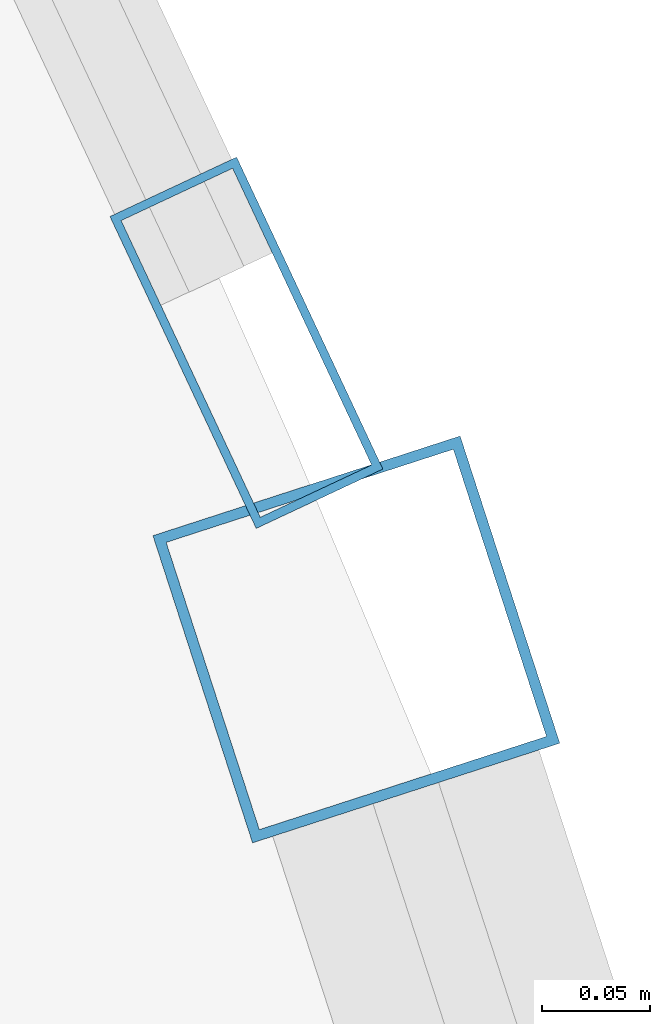
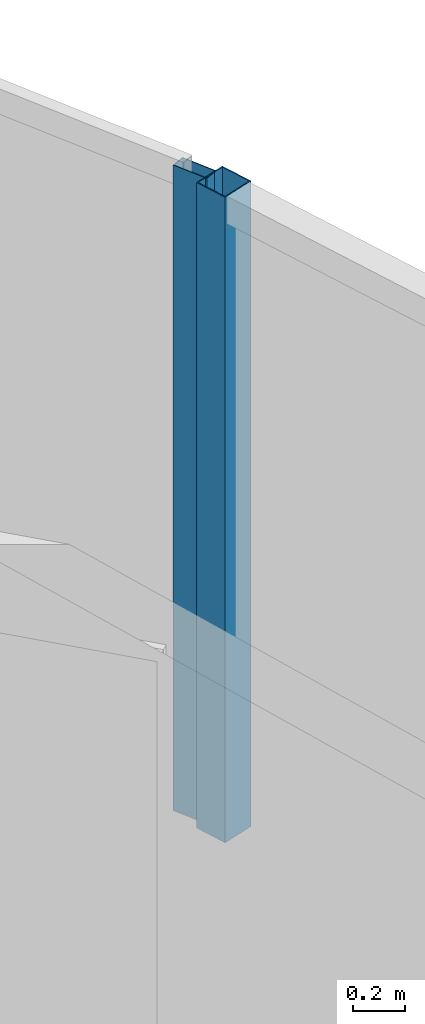
# One storey, part 18 of 34: 2 members, 2 elements without a shape of their own.
"""IFC4 building model written with IfcOpenShell, lengths in metres."""

import ifcopenshell
import ifcopenshell.guid

model = None  # the IFC model being written
_history = None  # IfcOwnerHistory: only IFC2X3 demands one
_inside = {}  # id of a spatial element -> (the spatial element, [elements in it])
_under = {}  # id of a project, library or spatial element -> (it, [spatial elements below it])
_declared = {}  # id of a project -> (the project, [libraries it declares])
_typed = {}  # id of a type object -> (the type object, [elements of that type])
_made_of = {}  # id of a material, layer set ... -> (it, [elements and type objects made of it])


def new_model(schema):
    """Start an empty IFC model of exactly this schema.

    Asked for "IFC4X3", IfcOpenShell would pick the latest addendum, in which some entities
    have other attributes; the version numbers below select the first issue.
    IFC2X3 requires an IfcOwnerHistory on every rooted entity: one is made here for all.
    """
    global model, _history
    if schema == "IFC4X3":
        model = ifcopenshell.file(schema_version=(4, 3, 0, 0))
    else:
        model = ifcopenshell.file(schema=schema)
    _inside.clear()
    _under.clear()
    _declared.clear()
    _typed.clear()
    _made_of.clear()
    _history = None
    if model.schema == "IFC2X3":
        org = make("IfcOrganization", Name="unknown")
        user = make(
            "IfcPersonAndOrganization",
            ThePerson=make("IfcPerson", FamilyName="unknown"),
            TheOrganization=org,
        )
        app = make(
            "IfcApplication",
            ApplicationDeveloper=org,
            Version="unknown",
            ApplicationFullName="unknown",
            ApplicationIdentifier="unknown",
        )
        _history = make(
            "IfcOwnerHistory",
            OwningUser=user,
            OwningApplication=app,
            ChangeAction="ADDED",
            CreationDate=0,
        )
    return model


def make(cls, **values):
    """One entity of the class cls with the attributes given. An attribute that is None is left unset."""
    return model.create_entity(
        cls, **{name: value for name, value in values.items() if value is not None}
    )


def rooted(cls, **values):
    """An entity with a GlobalId (a new one), such as an element, a storey or a relation."""
    return make(cls, GlobalId=ifcopenshell.guid.new(), OwnerHistory=_history, **values)


def si_unit(unit_type, name, prefix=None):
    """IfcSIUnit, for example si_unit("LENGTHUNIT", "METRE", prefix="MILLI")."""
    return make("IfcSIUnit", UnitType=unit_type, Prefix=prefix, Name=name)


def assignment(units):
    """IfcUnitAssignment: the units of a project."""
    return None if units is None else make("IfcUnitAssignment", Units=units)


def point(xyz):
    """IfcCartesianPoint."""
    return None if xyz is None else make("IfcCartesianPoint", Coordinates=xyz)


def direction(xyz):
    """IfcDirection."""
    return None if xyz is None else make("IfcDirection", DirectionRatios=xyz)


def frame(location, z_axis=None, x_axis=None):
    """IfcAxis2Placement3D, a coordinate frame: its origin and axes. An axis left out is left unset."""
    return make(
        "IfcAxis2Placement3D",
        Location=point(location),
        Axis=direction(z_axis),
        RefDirection=direction(x_axis),
    )


def frame_2d(location, x_axis=None):
    """IfcAxis2Placement2D, a coordinate frame in the plane: its origin and x axis."""
    return make(
        "IfcAxis2Placement2D", Location=point(location), RefDirection=direction(x_axis)
    )


def origin():
    """The frame at (0, 0, 0) with its axes left unset."""
    return frame((0.0, 0.0, 0.0))


def origin_2d():
    """The frame at (0, 0) in the plane with its x axis left unset."""
    return frame_2d((0.0, 0.0))


def place(relative_to, where):
    """IfcLocalPlacement: puts the frame where relative to a parent placement (None: the world)."""
    return make(
        "IfcLocalPlacement", PlacementRelTo=relative_to, RelativePlacement=where
    )


def context(
    kind, dimensions, precision=None, world=None, true_north=None, identifier=None
):
    """IfcGeometricRepresentationContext, for example the 3D "Model" context."""
    return make(
        "IfcGeometricRepresentationContext",
        ContextIdentifier=identifier,
        ContextType=kind,
        CoordinateSpaceDimension=dimensions,
        Precision=precision,
        WorldCoordinateSystem=world,
        TrueNorth=true_north,
    )


def subcontext(parent, identifier, kind, view, scale=None):
    """IfcGeometricRepresentationSubContext, for example "Body" below "Model"."""
    return make(
        "IfcGeometricRepresentationSubContext",
        ContextIdentifier=identifier,
        ContextType=kind,
        ParentContext=parent,
        TargetScale=scale,
        TargetView=view,
    )


def project(units=None, contexts=None):
    """IfcProject with its units and contexts."""
    return rooted(
        "IfcProject",
        Name="project",
        RepresentationContexts=contexts,
        UnitsInContext=assignment(units),
    )


def spatial(cls, under=None, at=None, **own):
    """A site, building, storey or space (cls), placed at a placement, below another one or the project."""
    s = rooted(cls, ObjectPlacement=at, **own)
    if under is not None:
        _under.setdefault(under.id(), (under, []))[1].append(s)
    return s


def profile(cls, at=None, kind="AREA", **sizes):
    """A parametric profile (cls). Its sizes go by their IFC names, for example OverallWidth=200.0."""
    return make(cls, ProfileType=kind, Position=at, **sizes)


def hollow_rectangle(**sizes):
    """IfcRectangleHollowProfileDef."""
    return profile("IfcRectangleHollowProfileDef", **sizes)


def extrude(swept, where, along, depth):
    """IfcExtrudedAreaSolid: the profile swept, set in the frame where, extruded along a direction by depth."""
    return make(
        "IfcExtrudedAreaSolid",
        SweptArea=swept,
        Position=where,
        ExtrudedDirection=direction(along),
        Depth=depth,
    )


def shape(context_of_items, identifier, shape_type, items):
    """IfcShapeRepresentation: the items that make up one representation, for example the "Body"."""
    return make(
        "IfcShapeRepresentation",
        ContextOfItems=context_of_items,
        RepresentationIdentifier=identifier,
        RepresentationType=shape_type,
        Items=items,
    )


def material(Name=None, Category=None):
    """IfcMaterial."""
    return make("IfcMaterial", Name=Name, Category=Category)


def layer(
    of_material, thickness, ventilated=None, Name=None, Category=None, Priority=None
):
    """IfcMaterialLayer: one layer of a wall or slab, of a material (None: an air gap)."""
    return make(
        "IfcMaterialLayer",
        Material=of_material,
        LayerThickness=thickness,
        IsVentilated=ventilated,
        Name=Name,
        Category=Category,
        Priority=Priority,
    )


def layer_set(layers, Name=None):
    """IfcMaterialLayerSet."""
    return make("IfcMaterialLayerSet", MaterialLayers=layers, LayerSetName=Name)


def material_profile(
    of_material, cross_section, Name=None, Category=None, Priority=None
):
    """IfcMaterialProfile: a cross section and its material."""
    return make(
        "IfcMaterialProfile",
        Name=Name,
        Material=of_material,
        Profile=cross_section,
        Priority=Priority,
        Category=Category,
    )


def profile_set(profiles, Name=None, composite=None):
    """IfcMaterialProfileSet."""
    return make(
        "IfcMaterialProfileSet",
        Name=Name,
        MaterialProfiles=profiles,
        CompositeProfile=composite,
    )


def made_of(thing, what):
    """Note that an element or type object is made of a material, layer set ...; save() writes the relation."""
    if what is not None:
        _made_of.setdefault(what.id(), (what, []))[1].append(thing)
    return thing


def type_object(cls, material=None, **own):
    """A type object (cls), such as IfcWallType, which elements share."""
    return made_of(rooted(cls, **own), material)


def element(
    cls,
    number,
    at=None,
    inside=None,
    cuts=None,
    type_object=None,
    material=None,
    context=None,
    identifier="Body",
    shape_type=None,
    held_by="IfcProductDefinitionShape",
    body=None,
    shapes=None,
    **own,
):
    """One element of the class cls, such as IfcWall. Its Tag is "e" and its number.

    at: its placement. inside: the storey or other place that contains it. cuts: it is an
    opening in that element (IfcRelVoidsElement). A single representation is given by context,
    identifier, shape_type and body (its items); several are given by shapes. held_by: the class
    of the entity that holds the representations. save() writes the other relations.
    """
    e = rooted(cls, Tag="e%d" % number, ObjectPlacement=at, **own)
    if body is not None:
        shapes = [shape(context, identifier, shape_type, body)]
    if shapes is not None:
        e.Representation = make(held_by, Representations=shapes)
    if inside is not None:
        _inside.setdefault(inside.id(), (inside, []))[1].append(e)
    if cuts is not None:
        rooted(
            "IfcRelVoidsElement", RelatingBuildingElement=cuts, RelatedOpeningElement=e
        )
    if type_object is not None:
        _typed.setdefault(type_object.id(), (type_object, []))[1].append(e)
    return made_of(e, material)


def aggregate(whole, parts):
    """IfcRelAggregates: a whole, such as a stair, and the parts it consists of."""
    return rooted("IfcRelAggregates", RelatingObject=whole, RelatedObjects=parts)


def save(model, path):
    """Write the relations noted so far, then the file.

    IfcRelAggregates (storeys below a building ...), IfcRelContainedInSpatialStructure (elements
    in a storey), IfcRelDefinesByType, IfcRelAssociatesMaterial and IfcRelDeclares: one each for
    every whole, place, type object, material and project.
    """
    for whole, parts in _under.values():
        aggregate(whole, parts)
    for where, things in _inside.values():
        rooted(
            "IfcRelContainedInSpatialStructure",
            RelatedElements=things,
            RelatingStructure=where,
        )
    for kind, things in _typed.values():
        rooted("IfcRelDefinesByType", RelatedObjects=things, RelatingType=kind)
    for what, things in _made_of.values():
        rooted("IfcRelAssociatesMaterial", RelatedObjects=things, RelatingMaterial=what)
    for by, libraries in _declared.values():
        rooted("IfcRelDeclares", RelatingContext=by, RelatedDefinitions=libraries)
    model.write(path)


model = new_model("IFC4")

# Units and contexts
model_context = context("Model", 3, precision=1e-05, world=origin(), true_north=direction((0.0, 1.0)))
body_context = subcontext(model_context, "Body", "Model", "MODEL_VIEW")
ifc_project = project(units=[si_unit("LENGTHUNIT", "METRE"), si_unit("AREAUNIT", "SQUARE_METRE"), si_unit("VOLUMEUNIT", "CUBIC_METRE"), si_unit("PLANEANGLEUNIT", "RADIAN"), si_unit("MASSUNIT", "GRAM", prefix="KILO")], contexts=[model_context])

# Site, building, storey
site_placement = place(None, origin())
site = spatial("IfcSite", under=ifc_project, at=site_placement, CompositionType="ELEMENT")
building_placement = place(site_placement, origin())
building = spatial("IfcBuilding", under=site, at=building_placement, Name="Orvanel Arch Residences", CompositionType="ELEMENT")
storey_placement = place(building_placement, frame((0.0, 0.0, 203.0)))
storey = spatial("IfcBuildingStorey", under=building, at=storey_placement, Name="L57", CompositionType="ELEMENT", Elevation=203.0)

# Curtain wall, member
ifc_material = material(Name="Bronze-anodised aluminium AA6063-T6", Category="aluminium")
ifc_layer_1 = layer(ifc_material, 0.18994140625)
ifc_layer_set_1 = layer_set([ifc_layer_1], Name="Bronze-anodised aluminium AA6063-T6")
curtain_wall_type_1 = type_object("IfcCurtainWallType", Name="CW5-CRN-SYS", PredefinedType="NOTDEFINED", material=ifc_layer_set_1)
curtain_wall_1_placement = place(storey_placement, origin())
curtain_wall_1 = element("IfcCurtainWall", 1, at=curtain_wall_1_placement, inside=storey, type_object=curtain_wall_type_1, Name="L57 CW5-CRN-SYS Unitised Curtain Wall", PredefinedType="NOTDEFINED")
ifc_material_profile_1 = material_profile(ifc_material, hollow_rectangle(XDim=0.14990234375, YDim=0.14990234375, WallThickness=0.0048828125, at=origin_2d()), Name="ALU150x150x5")
ifc_profile_set_1 = profile_set([ifc_material_profile_1], Name="Bronze-anodised aluminium AA6063-T6")
member_type_1 = type_object("IfcMemberType", Name="MUL-150x150", PredefinedType="MULLION", material=ifc_profile_set_1)
member_1_placement = place(storey_placement, frame((54.521240234375, 14.921630859375, 0.0), z_axis=(0.0, 0.0, 1.0), x_axis=(-0.951217039439, -0.308522517622, 0.0)))
member_1 = element("IfcMember", 2, at=member_1_placement, type_object=member_type_1, Name="CW-S5 mullion 2", PredefinedType="MULLION", context=body_context, shape_type="SweptSolid", body=[
    extrude(hollow_rectangle(XDim=0.14990234375, YDim=0.14990234375, WallThickness=0.0048828125, at=origin_2d()), origin(), (0.0, 0.0, 1.0), 3.06005859375),
])
aggregate(curtain_wall_1, [member_1])

ifc_layer_2 = layer(ifc_material, 0.175048828125)
ifc_layer_set_2 = layer_set([ifc_layer_2], Name="Bronze-anodised aluminium AA6063-T6")
curtain_wall_type_2 = type_object("IfcCurtainWallType", Name="CW4-HI-SYS", PredefinedType="NOTDEFINED", material=ifc_layer_set_2)
curtain_wall_2_placement = place(storey_placement, origin())
curtain_wall_2 = element("IfcCurtainWall", 3, at=curtain_wall_2_placement, inside=storey, type_object=curtain_wall_type_2, Name="L57 CW4-HI-SYS Unitised Curtain Wall", PredefinedType="NOTDEFINED")
ifc_material_profile_2 = material_profile(ifc_material, hollow_rectangle(XDim=0.06494140625, YDim=0.159912109375, WallThickness=0.00390625, at=origin_2d()), Name="ALU160x65x4")
ifc_profile_set_2 = profile_set([ifc_material_profile_2], Name="Bronze-anodised aluminium AA6063-T6")
member_type_2 = type_object("IfcMemberType", Name="MUL-160x65", PredefinedType="MULLION", material=ifc_profile_set_2)
member_2_placement = place(storey_placement, frame((54.47021484375, 15.059326171875, 0.0), z_axis=(0.0, 0.0, 1.0), x_axis=(-0.905430980596, -0.424493509228, 0.0)))
member_2 = element("IfcMember", 4, at=member_2_placement, type_object=member_type_2, Name="CW-S4 mullion 1", PredefinedType="MULLION", context=body_context, shape_type="SweptSolid", body=[
    extrude(hollow_rectangle(XDim=0.06494140625, YDim=0.159912109375, WallThickness=0.00390625, at=origin_2d()), origin(), (0.0, 0.0, 1.0), 3.06005859375),
])
aggregate(curtain_wall_2, [member_2])

save(model, "model.ifc")
